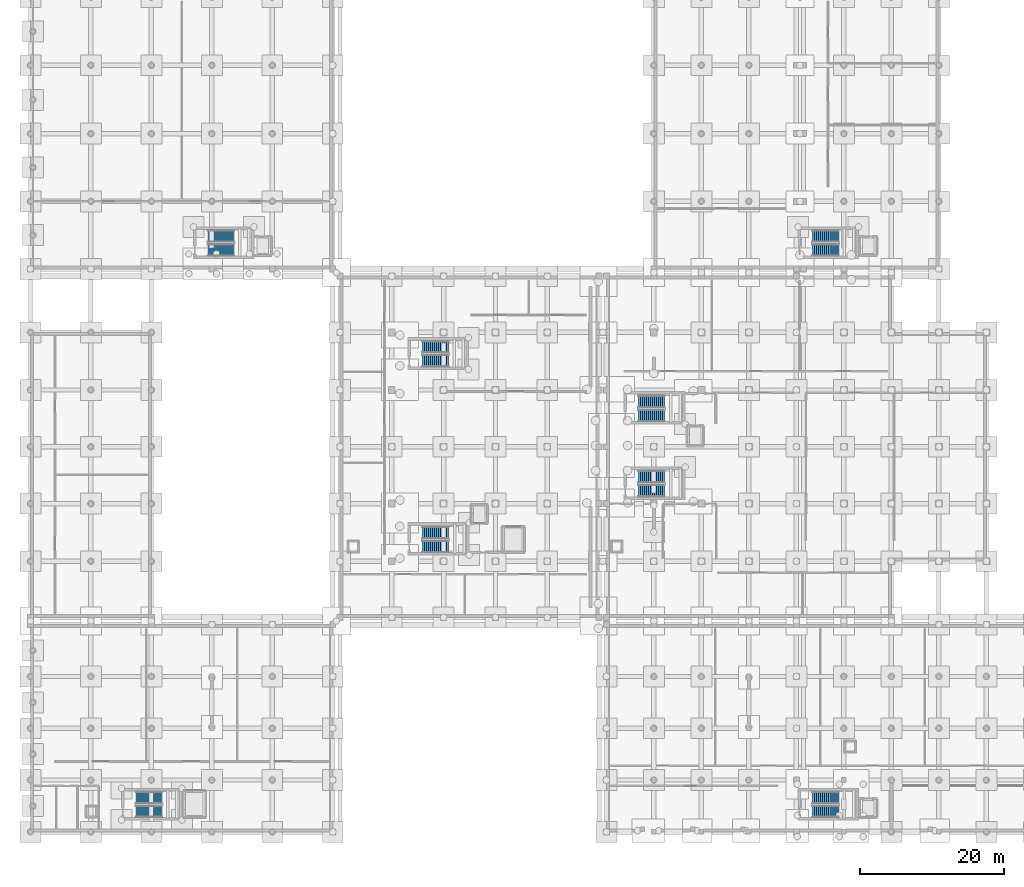
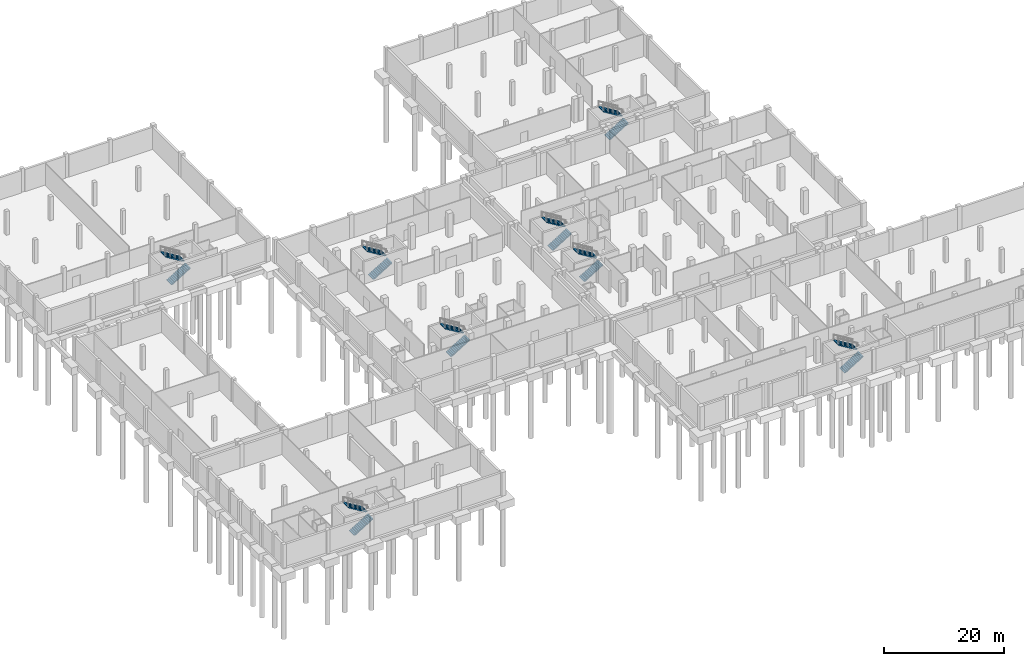
# One storey, part 22 of 29: 16 stair flights, 8 elements without a shape of their own.
"""IFC4 building model written with IfcOpenShell, lengths in metres."""

import ifcopenshell
import ifcopenshell.guid

model = None  # the IFC model being written
_history = None  # IfcOwnerHistory: only IFC2X3 demands one
_inside = {}  # id of a spatial element -> (the spatial element, [elements in it])
_under = {}  # id of a project, library or spatial element -> (it, [spatial elements below it])
_declared = {}  # id of a project -> (the project, [libraries it declares])
_typed = {}  # id of a type object -> (the type object, [elements of that type])
_made_of = {}  # id of a material, layer set ... -> (it, [elements and type objects made of it])


def new_model(schema):
    """Start an empty IFC model of exactly this schema.

    Asked for "IFC4X3", IfcOpenShell would pick the latest addendum, in which some entities
    have other attributes; the version numbers below select the first issue.
    IFC2X3 requires an IfcOwnerHistory on every rooted entity: one is made here for all.
    """
    global model, _history
    if schema == "IFC4X3":
        model = ifcopenshell.file(schema_version=(4, 3, 0, 0))
    else:
        model = ifcopenshell.file(schema=schema)
    _inside.clear()
    _under.clear()
    _declared.clear()
    _typed.clear()
    _made_of.clear()
    _history = None
    if model.schema == "IFC2X3":
        org = make("IfcOrganization", Name="unknown")
        user = make(
            "IfcPersonAndOrganization",
            ThePerson=make("IfcPerson", FamilyName="unknown"),
            TheOrganization=org,
        )
        app = make(
            "IfcApplication",
            ApplicationDeveloper=org,
            Version="unknown",
            ApplicationFullName="unknown",
            ApplicationIdentifier="unknown",
        )
        _history = make(
            "IfcOwnerHistory",
            OwningUser=user,
            OwningApplication=app,
            ChangeAction="ADDED",
            CreationDate=0,
        )
    return model


def make(cls, **values):
    """One entity of the class cls with the attributes given. An attribute that is None is left unset."""
    return model.create_entity(
        cls, **{name: value for name, value in values.items() if value is not None}
    )


def rooted(cls, **values):
    """An entity with a GlobalId (a new one), such as an element, a storey or a relation."""
    return make(cls, GlobalId=ifcopenshell.guid.new(), OwnerHistory=_history, **values)


def si_unit(unit_type, name, prefix=None):
    """IfcSIUnit, for example si_unit("LENGTHUNIT", "METRE", prefix="MILLI")."""
    return make("IfcSIUnit", UnitType=unit_type, Prefix=prefix, Name=name)


def assignment(units):
    """IfcUnitAssignment: the units of a project."""
    return None if units is None else make("IfcUnitAssignment", Units=units)


def point(xyz):
    """IfcCartesianPoint."""
    return None if xyz is None else make("IfcCartesianPoint", Coordinates=xyz)


def direction(xyz):
    """IfcDirection."""
    return None if xyz is None else make("IfcDirection", DirectionRatios=xyz)


def frame(location, z_axis=None, x_axis=None):
    """IfcAxis2Placement3D, a coordinate frame: its origin and axes. An axis left out is left unset."""
    return make(
        "IfcAxis2Placement3D",
        Location=point(location),
        Axis=direction(z_axis),
        RefDirection=direction(x_axis),
    )


def origin():
    """The frame at (0, 0, 0) with its axes left unset."""
    return frame((0.0, 0.0, 0.0))


def place(relative_to, where):
    """IfcLocalPlacement: puts the frame where relative to a parent placement (None: the world)."""
    return make(
        "IfcLocalPlacement", PlacementRelTo=relative_to, RelativePlacement=where
    )


def context(
    kind, dimensions, precision=None, world=None, true_north=None, identifier=None
):
    """IfcGeometricRepresentationContext, for example the 3D "Model" context."""
    return make(
        "IfcGeometricRepresentationContext",
        ContextIdentifier=identifier,
        ContextType=kind,
        CoordinateSpaceDimension=dimensions,
        Precision=precision,
        WorldCoordinateSystem=world,
        TrueNorth=true_north,
    )


def subcontext(parent, identifier, kind, view, scale=None):
    """IfcGeometricRepresentationSubContext, for example "Body" below "Model"."""
    return make(
        "IfcGeometricRepresentationSubContext",
        ContextIdentifier=identifier,
        ContextType=kind,
        ParentContext=parent,
        TargetScale=scale,
        TargetView=view,
    )


def project(units=None, contexts=None):
    """IfcProject with its units and contexts."""
    return rooted(
        "IfcProject",
        Name="project",
        RepresentationContexts=contexts,
        UnitsInContext=assignment(units),
    )


def spatial(cls, under=None, at=None, **own):
    """A site, building, storey or space (cls), placed at a placement, below another one or the project."""
    s = rooted(cls, ObjectPlacement=at, **own)
    if under is not None:
        _under.setdefault(under.id(), (under, []))[1].append(s)
    return s


def polyline(points):
    """IfcPolyline through the points."""
    return make("IfcPolyline", Points=[point(p) for p in points])


def outline(outer, holes=None, kind="AREA"):
    """IfcArbitraryClosedProfileDef: a profile drawn as a closed curve; with holes, ...WithVoids."""
    if holes is None:
        return make("IfcArbitraryClosedProfileDef", ProfileType=kind, OuterCurve=outer)
    return make(
        "IfcArbitraryProfileDefWithVoids",
        ProfileType=kind,
        OuterCurve=outer,
        InnerCurves=holes,
    )


def extrude(swept, where, along, depth):
    """IfcExtrudedAreaSolid: the profile swept, set in the frame where, extruded along a direction by depth."""
    return make(
        "IfcExtrudedAreaSolid",
        SweptArea=swept,
        Position=where,
        ExtrudedDirection=direction(along),
        Depth=depth,
    )


def shape(context_of_items, identifier, shape_type, items):
    """IfcShapeRepresentation: the items that make up one representation, for example the "Body"."""
    return make(
        "IfcShapeRepresentation",
        ContextOfItems=context_of_items,
        RepresentationIdentifier=identifier,
        RepresentationType=shape_type,
        Items=items,
    )


def material(Name=None, Category=None):
    """IfcMaterial."""
    return make("IfcMaterial", Name=Name, Category=Category)


def made_of(thing, what):
    """Note that an element or type object is made of a material, layer set ...; save() writes the relation."""
    if what is not None:
        _made_of.setdefault(what.id(), (what, []))[1].append(thing)
    return thing


def type_object(cls, material=None, **own):
    """A type object (cls), such as IfcWallType, which elements share."""
    return made_of(rooted(cls, **own), material)


def element(
    cls,
    number,
    at=None,
    inside=None,
    cuts=None,
    type_object=None,
    material=None,
    context=None,
    identifier="Body",
    shape_type=None,
    held_by="IfcProductDefinitionShape",
    body=None,
    shapes=None,
    **own,
):
    """One element of the class cls, such as IfcWall. Its Tag is "e" and its number.

    at: its placement. inside: the storey or other place that contains it. cuts: it is an
    opening in that element (IfcRelVoidsElement). A single representation is given by context,
    identifier, shape_type and body (its items); several are given by shapes. held_by: the class
    of the entity that holds the representations. save() writes the other relations.
    """
    e = rooted(cls, Tag="e%d" % number, ObjectPlacement=at, **own)
    if body is not None:
        shapes = [shape(context, identifier, shape_type, body)]
    if shapes is not None:
        e.Representation = make(held_by, Representations=shapes)
    if inside is not None:
        _inside.setdefault(inside.id(), (inside, []))[1].append(e)
    if cuts is not None:
        rooted(
            "IfcRelVoidsElement", RelatingBuildingElement=cuts, RelatedOpeningElement=e
        )
    if type_object is not None:
        _typed.setdefault(type_object.id(), (type_object, []))[1].append(e)
    return made_of(e, material)


def aggregate(whole, parts):
    """IfcRelAggregates: a whole, such as a stair, and the parts it consists of."""
    return rooted("IfcRelAggregates", RelatingObject=whole, RelatedObjects=parts)


def save(model, path):
    """Write the relations noted so far, then the file.

    IfcRelAggregates (storeys below a building ...), IfcRelContainedInSpatialStructure (elements
    in a storey), IfcRelDefinesByType, IfcRelAssociatesMaterial and IfcRelDeclares: one each for
    every whole, place, type object, material and project.
    """
    for whole, parts in _under.values():
        aggregate(whole, parts)
    for where, things in _inside.values():
        rooted(
            "IfcRelContainedInSpatialStructure",
            RelatedElements=things,
            RelatingStructure=where,
        )
    for kind, things in _typed.values():
        rooted("IfcRelDefinesByType", RelatedObjects=things, RelatingType=kind)
    for what, things in _made_of.values():
        rooted("IfcRelAssociatesMaterial", RelatedObjects=things, RelatingMaterial=what)
    for by, libraries in _declared.values():
        rooted("IfcRelDeclares", RelatingContext=by, RelatedDefinitions=libraries)
    model.write(path)


model = new_model("IFC4")

# Units and contexts
model_context = context("Model", 3, precision=1e-05, world=origin(), true_north=direction((0.0, 1.0)))
body_context = subcontext(model_context, "Body", "Model", "MODEL_VIEW")
ifc_project = project(units=[si_unit("LENGTHUNIT", "METRE"), si_unit("AREAUNIT", "SQUARE_METRE"), si_unit("VOLUMEUNIT", "CUBIC_METRE"), si_unit("PLANEANGLEUNIT", "RADIAN"), si_unit("MASSUNIT", "GRAM", prefix="KILO")], contexts=[model_context])

# Site, building, storey
site_placement = place(None, origin())
site = spatial("IfcSite", under=ifc_project, at=site_placement, CompositionType="ELEMENT")
building_placement = place(site_placement, origin())
building = spatial("IfcBuilding", under=site, at=building_placement, Name="Kelarvand Opera House", CompositionType="ELEMENT")
storey_placement = place(building_placement, frame((0.0, 0.0, -9.60009765625)))
storey = spatial("IfcBuildingStorey", under=building, at=storey_placement, Name="B2", CompositionType="ELEMENT", Elevation=-9.60009765625)

# Stair, stair flights
ifc_material = material(Name="Concrete C35/45", Category="concrete")
stair_type = type_object("IfcStairType", Name="Dogleg Concrete Exit Stair 1660mm 28R STA-01", PredefinedType="HALF_TURN_STAIR", material=ifc_material)
stair_1_placement = place(storey_placement, origin())
stair_1 = element("IfcStair", 1, at=stair_1_placement, inside=storey, type_object=stair_type, Name="B2 Auditorium North Firefighting and Public Core C1 Stair ST-01", PredefinedType="HALF_TURN_STAIR")
stair_flight_type = type_object("IfcStairFlightType", Name="Precast Stair Flight 1660mm 14x171mm STF-01", PredefinedType="STRAIGHT", material=ifc_material)
stair_flight_1_placement = place(storey_placement, frame((93.4599609375, 66.830078125, 0.0), z_axis=(0.0, 0.0, 1.0), x_axis=(1.0, 0.0, 0.0)))
stair_flight_1 = element("IfcStairFlight", 2, at=stair_flight_1_placement, type_object=stair_flight_type, Name="ST-01 flight 1", NumberOfRisers=14, NumberOfTreads=13, PredefinedType="STRAIGHT", RiserHeight=0.171428571, TreadLength=0.28, context=body_context, shape_type="SweptSolid", body=[
    extrude(outline(polyline([(0.0, 0.0), (0.0, 0.17138671875), (0.280029296875, 0.17138671875), (0.280029296875, 0.3427734375), (0.56005859375, 0.3427734375), (0.56005859375, 0.514404296875), (0.840087890625, 0.514404296875), (0.840087890625, 0.685791015625), (1.1201171875, 0.685791015625), (1.1201171875, 0.857177734375), (1.39990234375, 0.857177734375), (1.39990234375, 1.028564453125), (1.679931640625, 1.028564453125), (1.679931640625, 1.199951171875), (1.9599609375, 1.199951171875), (1.9599609375, 1.371337890625), (2.239990234375, 1.371337890625), (2.239990234375, 1.54296875), (2.52001953125, 1.54296875), (2.52001953125, 1.71435546875), (2.800048828125, 1.71435546875), (2.800048828125, 1.8857421875), (3.080078125, 1.8857421875), (3.080078125, 2.05712890625), (3.360107421875, 2.05712890625), (3.360107421875, 2.228515625), (3.639892578125, 2.228515625), (3.639892578125, 2.39990234375), (3.639892578125, 2.041015625), (0.30615234375, 0.0), (0.0, 0.0)])), frame((0.0, 0.830078125, 0.0), z_axis=(0.0, -1.0, 0.0), x_axis=(1.0, 0.0, 0.0)), (0.0, 0.0, 1.0), 1.659912109375),
])
stair_flight_2_placement = place(storey_placement, frame((97.10009765625, 68.77001953125, 2.400146484375), z_axis=(0.0, 0.0, 1.0), x_axis=(-1.0, 0.0, 0.0)))
stair_flight_2 = element("IfcStairFlight", 3, at=stair_flight_2_placement, type_object=stair_flight_type, Name="ST-01 flight 2", NumberOfRisers=14, NumberOfTreads=13, PredefinedType="STRAIGHT", RiserHeight=0.171428571, TreadLength=0.28, context=body_context, shape_type="SweptSolid", body=[
    extrude(outline(polyline([(0.0, 0.0), (0.0, 0.17138671875), (0.280029296875, 0.17138671875), (0.280029296875, 0.3427734375), (0.56005859375, 0.3427734375), (0.56005859375, 0.514404296875), (0.840087890625, 0.514404296875), (0.840087890625, 0.685791015625), (1.1201171875, 0.685791015625), (1.1201171875, 0.857177734375), (1.39990234375, 0.857177734375), (1.39990234375, 1.028564453125), (1.679931640625, 1.028564453125), (1.679931640625, 1.199951171875), (1.9599609375, 1.199951171875), (1.9599609375, 1.371337890625), (2.239990234375, 1.371337890625), (2.239990234375, 1.54296875), (2.52001953125, 1.54296875), (2.52001953125, 1.71435546875), (2.800048828125, 1.71435546875), (2.800048828125, 1.8857421875), (3.080078125, 1.8857421875), (3.080078125, 2.05712890625), (3.360107421875, 2.05712890625), (3.360107421875, 2.228515625), (3.639892578125, 2.228515625), (3.639892578125, 2.39990234375), (3.639892578125, 2.041015625), (0.30615234375, 0.0), (0.0, 0.0)])), frame((0.0, 0.830078125, 0.0), z_axis=(0.0, -1.0, 0.0), x_axis=(1.0, 0.0, 0.0)), (0.0, 0.0, 1.0), 1.659912109375),
])
aggregate(stair_1, [stair_flight_1, stair_flight_2])

stair_2_placement = place(storey_placement, origin())
stair_2 = element("IfcStair", 4, at=stair_2_placement, inside=storey, type_object=stair_type, Name="B2 Stage House South Firefighting and Goods Core C2 Stair ST-02", PredefinedType="HALF_TURN_STAIR")
stair_flight_3_placement = place(storey_placement, frame((63.4599609375, 48.6298828125, 0.0), z_axis=(0.0, 0.0, 1.0), x_axis=(1.0, 0.0, 0.0)))
stair_flight_3 = element("IfcStairFlight", 5, at=stair_flight_3_placement, type_object=stair_flight_type, Name="ST-02 flight 1", NumberOfRisers=14, NumberOfTreads=13, PredefinedType="STRAIGHT", RiserHeight=0.171428571, TreadLength=0.28, context=body_context, shape_type="SweptSolid", body=[
    extrude(outline(polyline([(0.0, 0.0), (0.0, 0.17138671875), (0.280029296875, 0.17138671875), (0.280029296875, 0.3427734375), (0.56005859375, 0.3427734375), (0.56005859375, 0.514404296875), (0.840087890625, 0.514404296875), (0.840087890625, 0.685791015625), (1.1201171875, 0.685791015625), (1.1201171875, 0.857177734375), (1.39990234375, 0.857177734375), (1.39990234375, 1.028564453125), (1.679931640625, 1.028564453125), (1.679931640625, 1.199951171875), (1.9599609375, 1.199951171875), (1.9599609375, 1.371337890625), (2.239990234375, 1.371337890625), (2.239990234375, 1.54296875), (2.52001953125, 1.54296875), (2.52001953125, 1.71435546875), (2.800048828125, 1.71435546875), (2.800048828125, 1.8857421875), (3.080078125, 1.8857421875), (3.080078125, 2.05712890625), (3.360107421875, 2.05712890625), (3.360107421875, 2.228515625), (3.639892578125, 2.228515625), (3.639892578125, 2.39990234375), (3.639892578125, 2.041015625), (0.30615234375, 0.0), (0.0, 0.0)])), frame((0.0, 0.830078125, 0.0), z_axis=(0.0, -1.0, 0.0), x_axis=(1.0, 0.0, 0.0)), (0.0, 0.0, 1.0), 1.659912109375),
])
stair_flight_4_placement = place(storey_placement, frame((67.10009765625, 50.570068359375, 2.400146484375), z_axis=(0.0, 0.0, 1.0), x_axis=(-1.0, 0.0, 0.0)))
stair_flight_4 = element("IfcStairFlight", 6, at=stair_flight_4_placement, type_object=stair_flight_type, Name="ST-02 flight 2", NumberOfRisers=14, NumberOfTreads=13, PredefinedType="STRAIGHT", RiserHeight=0.171428571, TreadLength=0.28, context=body_context, shape_type="SweptSolid", body=[
    extrude(outline(polyline([(0.0, 0.0), (0.0, 0.17138671875), (0.280029296875, 0.17138671875), (0.280029296875, 0.3427734375), (0.56005859375, 0.3427734375), (0.56005859375, 0.514404296875), (0.840087890625, 0.514404296875), (0.840087890625, 0.685791015625), (1.1201171875, 0.685791015625), (1.1201171875, 0.857177734375), (1.39990234375, 0.857177734375), (1.39990234375, 1.028564453125), (1.679931640625, 1.028564453125), (1.679931640625, 1.199951171875), (1.9599609375, 1.199951171875), (1.9599609375, 1.371337890625), (2.239990234375, 1.371337890625), (2.239990234375, 1.54296875), (2.52001953125, 1.54296875), (2.52001953125, 1.71435546875), (2.800048828125, 1.71435546875), (2.800048828125, 1.8857421875), (3.080078125, 1.8857421875), (3.080078125, 2.05712890625), (3.360107421875, 2.05712890625), (3.360107421875, 2.228515625), (3.639892578125, 2.228515625), (3.639892578125, 2.39990234375), (3.639892578125, 2.041015625), (0.30615234375, 0.0), (0.0, 0.0)])), frame((0.0, 0.830078125, 0.0), z_axis=(0.0, -1.0, 0.0), x_axis=(1.0, 0.0, 0.0)), (0.0, 0.0, 1.0), 1.659912109375),
])
aggregate(stair_2, [stair_flight_3, stair_flight_4])

stair_3_placement = place(storey_placement, origin())
stair_3 = element("IfcStair", 7, at=stair_3_placement, inside=storey, type_object=stair_type, Name="B2 Fly Tower North Technical Core C3 Stair ST-03", PredefinedType="HALF_TURN_STAIR")
stair_flight_5_placement = place(storey_placement, frame((63.4599609375, 74.429931640625, 0.0), z_axis=(0.0, 0.0, 1.0), x_axis=(1.0, 0.0, 0.0)))
stair_flight_5 = element("IfcStairFlight", 8, at=stair_flight_5_placement, type_object=stair_flight_type, Name="ST-03 flight 1", NumberOfRisers=14, NumberOfTreads=13, PredefinedType="STRAIGHT", RiserHeight=0.171428571, TreadLength=0.28, context=body_context, shape_type="SweptSolid", body=[
    extrude(outline(polyline([(0.0, 0.0), (0.0, 0.17138671875), (0.280029296875, 0.17138671875), (0.280029296875, 0.3427734375), (0.56005859375, 0.3427734375), (0.56005859375, 0.514404296875), (0.840087890625, 0.514404296875), (0.840087890625, 0.685791015625), (1.1201171875, 0.685791015625), (1.1201171875, 0.857177734375), (1.39990234375, 0.857177734375), (1.39990234375, 1.028564453125), (1.679931640625, 1.028564453125), (1.679931640625, 1.199951171875), (1.9599609375, 1.199951171875), (1.9599609375, 1.371337890625), (2.239990234375, 1.371337890625), (2.239990234375, 1.54296875), (2.52001953125, 1.54296875), (2.52001953125, 1.71435546875), (2.800048828125, 1.71435546875), (2.800048828125, 1.8857421875), (3.080078125, 1.8857421875), (3.080078125, 2.05712890625), (3.360107421875, 2.05712890625), (3.360107421875, 2.228515625), (3.639892578125, 2.228515625), (3.639892578125, 2.39990234375), (3.639892578125, 2.041015625), (0.30615234375, 0.0), (0.0, 0.0)])), frame((0.0, 0.830078125, 0.0), z_axis=(0.0, -1.0, 0.0), x_axis=(1.0, 0.0, 0.0)), (0.0, 0.0, 1.0), 1.659912109375),
])
stair_flight_6_placement = place(storey_placement, frame((67.10009765625, 76.3701171875, 2.400146484375), z_axis=(0.0, 0.0, 1.0), x_axis=(-1.0, 0.0, 0.0)))
stair_flight_6 = element("IfcStairFlight", 9, at=stair_flight_6_placement, type_object=stair_flight_type, Name="ST-03 flight 2", NumberOfRisers=14, NumberOfTreads=13, PredefinedType="STRAIGHT", RiserHeight=0.171428571, TreadLength=0.28, context=body_context, shape_type="SweptSolid", body=[
    extrude(outline(polyline([(0.0, 0.0), (0.0, 0.17138671875), (0.280029296875, 0.17138671875), (0.280029296875, 0.3427734375), (0.56005859375, 0.3427734375), (0.56005859375, 0.514404296875), (0.840087890625, 0.514404296875), (0.840087890625, 0.685791015625), (1.1201171875, 0.685791015625), (1.1201171875, 0.857177734375), (1.39990234375, 0.857177734375), (1.39990234375, 1.028564453125), (1.679931640625, 1.028564453125), (1.679931640625, 1.199951171875), (1.9599609375, 1.199951171875), (1.9599609375, 1.371337890625), (2.239990234375, 1.371337890625), (2.239990234375, 1.54296875), (2.52001953125, 1.54296875), (2.52001953125, 1.71435546875), (2.800048828125, 1.71435546875), (2.800048828125, 1.8857421875), (3.080078125, 1.8857421875), (3.080078125, 2.05712890625), (3.360107421875, 2.05712890625), (3.360107421875, 2.228515625), (3.639892578125, 2.228515625), (3.639892578125, 2.39990234375), (3.639892578125, 2.041015625), (0.30615234375, 0.0), (0.0, 0.0)])), frame((0.0, 0.830078125, 0.0), z_axis=(0.0, -1.0, 0.0), x_axis=(1.0, 0.0, 0.0)), (0.0, 0.0, 1.0), 1.659912109375),
])
aggregate(stair_3, [stair_flight_5, stair_flight_6])

stair_4_placement = place(storey_placement, origin())
stair_4 = element("IfcStair", 10, at=stair_4_placement, inside=storey, type_object=stair_type, Name="B2 Auditorium South Foyer Core C4 Stair ST-04", PredefinedType="HALF_TURN_STAIR")
stair_flight_7_placement = place(storey_placement, frame((93.4599609375, 56.3798828125, 0.0), z_axis=(0.0, 0.0, 1.0), x_axis=(1.0, 0.0, 0.0)))
stair_flight_7 = element("IfcStairFlight", 11, at=stair_flight_7_placement, type_object=stair_flight_type, Name="ST-04 flight 1", NumberOfRisers=14, NumberOfTreads=13, PredefinedType="STRAIGHT", RiserHeight=0.171428571, TreadLength=0.28, context=body_context, shape_type="SweptSolid", body=[
    extrude(outline(polyline([(0.0, 0.0), (0.0, 0.17138671875), (0.280029296875, 0.17138671875), (0.280029296875, 0.3427734375), (0.56005859375, 0.3427734375), (0.56005859375, 0.514404296875), (0.840087890625, 0.514404296875), (0.840087890625, 0.685791015625), (1.1201171875, 0.685791015625), (1.1201171875, 0.857177734375), (1.39990234375, 0.857177734375), (1.39990234375, 1.028564453125), (1.679931640625, 1.028564453125), (1.679931640625, 1.199951171875), (1.9599609375, 1.199951171875), (1.9599609375, 1.371337890625), (2.239990234375, 1.371337890625), (2.239990234375, 1.54296875), (2.52001953125, 1.54296875), (2.52001953125, 1.71435546875), (2.800048828125, 1.71435546875), (2.800048828125, 1.8857421875), (3.080078125, 1.8857421875), (3.080078125, 2.05712890625), (3.360107421875, 2.05712890625), (3.360107421875, 2.228515625), (3.639892578125, 2.228515625), (3.639892578125, 2.39990234375), (3.639892578125, 2.041015625), (0.30615234375, 0.0), (0.0, 0.0)])), frame((0.0, 0.830078125, 0.0), z_axis=(0.0, -1.0, 0.0), x_axis=(1.0, 0.0, 0.0)), (0.0, 0.0, 1.0), 1.659912109375),
])
stair_flight_8_placement = place(storey_placement, frame((97.10009765625, 58.320068359375, 2.400146484375), z_axis=(0.0, 0.0, 1.0), x_axis=(-1.0, 0.0, 0.0)))
stair_flight_8 = element("IfcStairFlight", 12, at=stair_flight_8_placement, type_object=stair_flight_type, Name="ST-04 flight 2", NumberOfRisers=14, NumberOfTreads=13, PredefinedType="STRAIGHT", RiserHeight=0.171428571, TreadLength=0.28, context=body_context, shape_type="SweptSolid", body=[
    extrude(outline(polyline([(0.0, 0.0), (0.0, 0.17138671875), (0.280029296875, 0.17138671875), (0.280029296875, 0.3427734375), (0.56005859375, 0.3427734375), (0.56005859375, 0.514404296875), (0.840087890625, 0.514404296875), (0.840087890625, 0.685791015625), (1.1201171875, 0.685791015625), (1.1201171875, 0.857177734375), (1.39990234375, 0.857177734375), (1.39990234375, 1.028564453125), (1.679931640625, 1.028564453125), (1.679931640625, 1.199951171875), (1.9599609375, 1.199951171875), (1.9599609375, 1.371337890625), (2.239990234375, 1.371337890625), (2.239990234375, 1.54296875), (2.52001953125, 1.54296875), (2.52001953125, 1.71435546875), (2.800048828125, 1.71435546875), (2.800048828125, 1.8857421875), (3.080078125, 1.8857421875), (3.080078125, 2.05712890625), (3.360107421875, 2.05712890625), (3.360107421875, 2.228515625), (3.639892578125, 2.228515625), (3.639892578125, 2.39990234375), (3.639892578125, 2.041015625), (0.30615234375, 0.0), (0.0, 0.0)])), frame((0.0, 0.830078125, 0.0), z_axis=(0.0, -1.0, 0.0), x_axis=(1.0, 0.0, 0.0)), (0.0, 0.0, 1.0), 1.659912109375),
])
aggregate(stair_4, [stair_flight_7, stair_flight_8])

stair_5_placement = place(storey_placement, origin())
stair_5 = element("IfcStair", 13, at=stair_5_placement, inside=storey, type_object=stair_type, Name="B2 Rehearsal Pavilion Core C5 Stair ST-05", PredefinedType="HALF_TURN_STAIR")
stair_flight_9_placement = place(storey_placement, frame((33.659912109375, 89.830078125, 0.0), z_axis=(0.0, 0.0, 1.0), x_axis=(1.0, 0.0, 0.0)))
stair_flight_9 = element("IfcStairFlight", 14, at=stair_flight_9_placement, type_object=stair_flight_type, Name="ST-05 flight 1", NumberOfRisers=14, NumberOfTreads=13, PredefinedType="STRAIGHT", RiserHeight=0.171428571, TreadLength=0.28, context=body_context, shape_type="SweptSolid", body=[
    extrude(outline(polyline([(0.0, 0.0), (0.0, 0.17138671875), (0.280029296875, 0.17138671875), (0.280029296875, 0.3427734375), (0.56005859375, 0.3427734375), (0.56005859375, 0.514404296875), (0.840087890625, 0.514404296875), (0.840087890625, 0.685791015625), (1.1201171875, 0.685791015625), (1.1201171875, 0.857177734375), (1.39990234375, 0.857177734375), (1.39990234375, 1.028564453125), (1.679931640625, 1.028564453125), (1.679931640625, 1.199951171875), (1.9599609375, 1.199951171875), (1.9599609375, 1.371337890625), (2.239990234375, 1.371337890625), (2.239990234375, 1.54296875), (2.52001953125, 1.54296875), (2.52001953125, 1.71435546875), (2.800048828125, 1.71435546875), (2.800048828125, 1.8857421875), (3.080078125, 1.8857421875), (3.080078125, 2.05712890625), (3.360107421875, 2.05712890625), (3.360107421875, 2.228515625), (3.639892578125, 2.228515625), (3.639892578125, 2.39990234375), (3.639892578125, 2.041015625), (0.30615234375, 0.0), (0.0, 0.0)])), frame((0.0, 0.830078125, 0.0), z_axis=(0.0, -1.0, 0.0), x_axis=(1.0, 0.0, 0.0)), (0.0, 0.0, 1.0), 1.659912109375),
])
stair_flight_10_placement = place(storey_placement, frame((37.300048828125, 91.77001953125, 2.400146484375), z_axis=(0.0, 0.0, 1.0), x_axis=(-1.0, 0.0, 0.0)))
stair_flight_10 = element("IfcStairFlight", 15, at=stair_flight_10_placement, type_object=stair_flight_type, Name="ST-05 flight 2", NumberOfRisers=14, NumberOfTreads=13, PredefinedType="STRAIGHT", RiserHeight=0.171428571, TreadLength=0.28, context=body_context, shape_type="SweptSolid", body=[
    extrude(outline(polyline([(0.0, 0.0), (0.0, 0.17138671875), (0.280029296875, 0.17138671875), (0.280029296875, 0.3427734375), (0.56005859375, 0.3427734375), (0.56005859375, 0.514404296875), (0.840087890625, 0.514404296875), (0.840087890625, 0.685791015625), (1.1201171875, 0.685791015625), (1.1201171875, 0.857177734375), (1.39990234375, 0.857177734375), (1.39990234375, 1.028564453125), (1.679931640625, 1.028564453125), (1.679931640625, 1.199951171875), (1.9599609375, 1.199951171875), (1.9599609375, 1.371337890625), (2.239990234375, 1.371337890625), (2.239990234375, 1.54296875), (2.52001953125, 1.54296875), (2.52001953125, 1.71435546875), (2.800048828125, 1.71435546875), (2.800048828125, 1.8857421875), (3.080078125, 1.8857421875), (3.080078125, 2.05712890625), (3.360107421875, 2.05712890625), (3.360107421875, 2.228515625), (3.639892578125, 2.228515625), (3.639892578125, 2.39990234375), (3.639892578125, 2.041015625), (0.30615234375, 0.0), (0.0, 0.0)])), frame((0.0, 0.830078125, 0.0), z_axis=(0.0, -1.0, 0.0), x_axis=(1.0, 0.0, 0.0)), (0.0, 0.0, 1.0), 1.659912109375),
])
aggregate(stair_5, [stair_flight_9, stair_flight_10])

stair_6_placement = place(storey_placement, origin())
stair_6 = element("IfcStair", 16, at=stair_6_placement, inside=storey, type_object=stair_type, Name="B2 Scenery Workshop and Freight Core C6 Stair ST-06", PredefinedType="HALF_TURN_STAIR")
stair_flight_11_placement = place(storey_placement, frame((23.659912109375, 11.830078125, 0.0), z_axis=(0.0, 0.0, 1.0), x_axis=(1.0, 0.0, 0.0)))
stair_flight_11 = element("IfcStairFlight", 17, at=stair_flight_11_placement, type_object=stair_flight_type, Name="ST-06 flight 1", NumberOfRisers=14, NumberOfTreads=13, PredefinedType="STRAIGHT", RiserHeight=0.171428571, TreadLength=0.28, context=body_context, shape_type="SweptSolid", body=[
    extrude(outline(polyline([(0.0, 0.0), (0.0, 0.17138671875), (0.280029296875, 0.17138671875), (0.280029296875, 0.3427734375), (0.56005859375, 0.3427734375), (0.56005859375, 0.514404296875), (0.840087890625, 0.514404296875), (0.840087890625, 0.685791015625), (1.1201171875, 0.685791015625), (1.1201171875, 0.857177734375), (1.39990234375, 0.857177734375), (1.39990234375, 1.028564453125), (1.679931640625, 1.028564453125), (1.679931640625, 1.199951171875), (1.9599609375, 1.199951171875), (1.9599609375, 1.371337890625), (2.239990234375, 1.371337890625), (2.239990234375, 1.54296875), (2.52001953125, 1.54296875), (2.52001953125, 1.71435546875), (2.800048828125, 1.71435546875), (2.800048828125, 1.8857421875), (3.080078125, 1.8857421875), (3.080078125, 2.05712890625), (3.360107421875, 2.05712890625), (3.360107421875, 2.228515625), (3.639892578125, 2.228515625), (3.639892578125, 2.39990234375), (3.639892578125, 2.041015625), (0.30615234375, 0.0), (0.0, 0.0)])), frame((0.0, 0.830078125, 0.0), z_axis=(0.0, -1.0, 0.0), x_axis=(1.0, 0.0, 0.0)), (0.0, 0.0, 1.0), 1.659912109375),
])
stair_flight_12_placement = place(storey_placement, frame((27.300048828125, 13.77001953125, 2.400146484375), z_axis=(0.0, 0.0, 1.0), x_axis=(-1.0, 0.0, 0.0)))
stair_flight_12 = element("IfcStairFlight", 18, at=stair_flight_12_placement, type_object=stair_flight_type, Name="ST-06 flight 2", NumberOfRisers=14, NumberOfTreads=13, PredefinedType="STRAIGHT", RiserHeight=0.171428571, TreadLength=0.28, context=body_context, shape_type="SweptSolid", body=[
    extrude(outline(polyline([(0.0, 0.0), (0.0, 0.17138671875), (0.280029296875, 0.17138671875), (0.280029296875, 0.3427734375), (0.56005859375, 0.3427734375), (0.56005859375, 0.514404296875), (0.840087890625, 0.514404296875), (0.840087890625, 0.685791015625), (1.1201171875, 0.685791015625), (1.1201171875, 0.857177734375), (1.39990234375, 0.857177734375), (1.39990234375, 1.028564453125), (1.679931640625, 1.028564453125), (1.679931640625, 1.199951171875), (1.9599609375, 1.199951171875), (1.9599609375, 1.371337890625), (2.239990234375, 1.371337890625), (2.239990234375, 1.54296875), (2.52001953125, 1.54296875), (2.52001953125, 1.71435546875), (2.800048828125, 1.71435546875), (2.800048828125, 1.8857421875), (3.080078125, 1.8857421875), (3.080078125, 2.05712890625), (3.360107421875, 2.05712890625), (3.360107421875, 2.228515625), (3.639892578125, 2.228515625), (3.639892578125, 2.39990234375), (3.639892578125, 2.041015625), (0.30615234375, 0.0), (0.0, 0.0)])), frame((0.0, 0.830078125, 0.0), z_axis=(0.0, -1.0, 0.0), x_axis=(1.0, 0.0, 0.0)), (0.0, 0.0, 1.0), 1.659912109375),
])
aggregate(stair_6, [stair_flight_11, stair_flight_12])

stair_7_placement = place(storey_placement, origin())
stair_7 = element("IfcStair", 19, at=stair_7_placement, inside=storey, type_object=stair_type, Name="B2 North Park Foyer Core C7 Stair ST-07", PredefinedType="HALF_TURN_STAIR")
stair_flight_13_placement = place(storey_placement, frame((117.659912109375, 89.830078125, 0.0), z_axis=(0.0, 0.0, 1.0), x_axis=(1.0, 0.0, 0.0)))
stair_flight_13 = element("IfcStairFlight", 20, at=stair_flight_13_placement, type_object=stair_flight_type, Name="ST-07 flight 1", NumberOfRisers=14, NumberOfTreads=13, PredefinedType="STRAIGHT", RiserHeight=0.171428571, TreadLength=0.28, context=body_context, shape_type="SweptSolid", body=[
    extrude(outline(polyline([(0.0, 0.0), (0.0, 0.17138671875), (0.280029296875, 0.17138671875), (0.280029296875, 0.3427734375), (0.56005859375, 0.3427734375), (0.56005859375, 0.514404296875), (0.840087890625, 0.514404296875), (0.840087890625, 0.685791015625), (1.1201171875, 0.685791015625), (1.1201171875, 0.857177734375), (1.39990234375, 0.857177734375), (1.39990234375, 1.028564453125), (1.679931640625, 1.028564453125), (1.679931640625, 1.199951171875), (1.9599609375, 1.199951171875), (1.9599609375, 1.371337890625), (2.239990234375, 1.371337890625), (2.239990234375, 1.54296875), (2.52001953125, 1.54296875), (2.52001953125, 1.71435546875), (2.800048828125, 1.71435546875), (2.800048828125, 1.8857421875), (3.080078125, 1.8857421875), (3.080078125, 2.05712890625), (3.360107421875, 2.05712890625), (3.360107421875, 2.228515625), (3.639892578125, 2.228515625), (3.639892578125, 2.39990234375), (3.639892578125, 2.041015625), (0.30615234375, 0.0), (0.0, 0.0)])), frame((0.0, 0.830078125, 0.0), z_axis=(0.0, -1.0, 0.0), x_axis=(1.0, 0.0, 0.0)), (0.0, 0.0, 1.0), 1.659912109375),
])
stair_flight_14_placement = place(storey_placement, frame((121.300048828125, 91.77001953125, 2.400146484375), z_axis=(0.0, 0.0, 1.0), x_axis=(-1.0, 0.0, 0.0)))
stair_flight_14 = element("IfcStairFlight", 21, at=stair_flight_14_placement, type_object=stair_flight_type, Name="ST-07 flight 2", NumberOfRisers=14, NumberOfTreads=13, PredefinedType="STRAIGHT", RiserHeight=0.171428571, TreadLength=0.28, context=body_context, shape_type="SweptSolid", body=[
    extrude(outline(polyline([(0.0, 0.0), (0.0, 0.17138671875), (0.280029296875, 0.17138671875), (0.280029296875, 0.3427734375), (0.56005859375, 0.3427734375), (0.56005859375, 0.514404296875), (0.840087890625, 0.514404296875), (0.840087890625, 0.685791015625), (1.1201171875, 0.685791015625), (1.1201171875, 0.857177734375), (1.39990234375, 0.857177734375), (1.39990234375, 1.028564453125), (1.679931640625, 1.028564453125), (1.679931640625, 1.199951171875), (1.9599609375, 1.199951171875), (1.9599609375, 1.371337890625), (2.239990234375, 1.371337890625), (2.239990234375, 1.54296875), (2.52001953125, 1.54296875), (2.52001953125, 1.71435546875), (2.800048828125, 1.71435546875), (2.800048828125, 1.8857421875), (3.080078125, 1.8857421875), (3.080078125, 2.05712890625), (3.360107421875, 2.05712890625), (3.360107421875, 2.228515625), (3.639892578125, 2.228515625), (3.639892578125, 2.39990234375), (3.639892578125, 2.041015625), (0.30615234375, 0.0), (0.0, 0.0)])), frame((0.0, 0.830078125, 0.0), z_axis=(0.0, -1.0, 0.0), x_axis=(1.0, 0.0, 0.0)), (0.0, 0.0, 1.0), 1.659912109375),
])
aggregate(stair_7, [stair_flight_13, stair_flight_14])

stair_8_placement = place(storey_placement, origin())
stair_8 = element("IfcStair", 22, at=stair_8_placement, inside=storey, type_object=stair_type, Name="B2 South Dressing and Production Core C8 Stair ST-08", PredefinedType="HALF_TURN_STAIR")
stair_flight_15_placement = place(storey_placement, frame((117.659912109375, 11.830078125, 0.0), z_axis=(0.0, 0.0, 1.0), x_axis=(1.0, 0.0, 0.0)))
stair_flight_15 = element("IfcStairFlight", 23, at=stair_flight_15_placement, type_object=stair_flight_type, Name="ST-08 flight 1", NumberOfRisers=14, NumberOfTreads=13, PredefinedType="STRAIGHT", RiserHeight=0.171428571, TreadLength=0.28, context=body_context, shape_type="SweptSolid", body=[
    extrude(outline(polyline([(0.0, 0.0), (0.0, 0.17138671875), (0.280029296875, 0.17138671875), (0.280029296875, 0.3427734375), (0.56005859375, 0.3427734375), (0.56005859375, 0.514404296875), (0.840087890625, 0.514404296875), (0.840087890625, 0.685791015625), (1.1201171875, 0.685791015625), (1.1201171875, 0.857177734375), (1.39990234375, 0.857177734375), (1.39990234375, 1.028564453125), (1.679931640625, 1.028564453125), (1.679931640625, 1.199951171875), (1.9599609375, 1.199951171875), (1.9599609375, 1.371337890625), (2.239990234375, 1.371337890625), (2.239990234375, 1.54296875), (2.52001953125, 1.54296875), (2.52001953125, 1.71435546875), (2.800048828125, 1.71435546875), (2.800048828125, 1.8857421875), (3.080078125, 1.8857421875), (3.080078125, 2.05712890625), (3.360107421875, 2.05712890625), (3.360107421875, 2.228515625), (3.639892578125, 2.228515625), (3.639892578125, 2.39990234375), (3.639892578125, 2.041015625), (0.30615234375, 0.0), (0.0, 0.0)])), frame((0.0, 0.830078125, 0.0), z_axis=(0.0, -1.0, 0.0), x_axis=(1.0, 0.0, 0.0)), (0.0, 0.0, 1.0), 1.659912109375),
])
stair_flight_16_placement = place(storey_placement, frame((121.300048828125, 13.77001953125, 2.400146484375), z_axis=(0.0, 0.0, 1.0), x_axis=(-1.0, 0.0, 0.0)))
stair_flight_16 = element("IfcStairFlight", 24, at=stair_flight_16_placement, type_object=stair_flight_type, Name="ST-08 flight 2", NumberOfRisers=14, NumberOfTreads=13, PredefinedType="STRAIGHT", RiserHeight=0.171428571, TreadLength=0.28, context=body_context, shape_type="SweptSolid", body=[
    extrude(outline(polyline([(0.0, 0.0), (0.0, 0.17138671875), (0.280029296875, 0.17138671875), (0.280029296875, 0.3427734375), (0.56005859375, 0.3427734375), (0.56005859375, 0.514404296875), (0.840087890625, 0.514404296875), (0.840087890625, 0.685791015625), (1.1201171875, 0.685791015625), (1.1201171875, 0.857177734375), (1.39990234375, 0.857177734375), (1.39990234375, 1.028564453125), (1.679931640625, 1.028564453125), (1.679931640625, 1.199951171875), (1.9599609375, 1.199951171875), (1.9599609375, 1.371337890625), (2.239990234375, 1.371337890625), (2.239990234375, 1.54296875), (2.52001953125, 1.54296875), (2.52001953125, 1.71435546875), (2.800048828125, 1.71435546875), (2.800048828125, 1.8857421875), (3.080078125, 1.8857421875), (3.080078125, 2.05712890625), (3.360107421875, 2.05712890625), (3.360107421875, 2.228515625), (3.639892578125, 2.228515625), (3.639892578125, 2.39990234375), (3.639892578125, 2.041015625), (0.30615234375, 0.0), (0.0, 0.0)])), frame((0.0, 0.830078125, 0.0), z_axis=(0.0, -1.0, 0.0), x_axis=(1.0, 0.0, 0.0)), (0.0, 0.0, 1.0), 1.659912109375),
])
aggregate(stair_8, [stair_flight_15, stair_flight_16])

save(model, "model.ifc")
